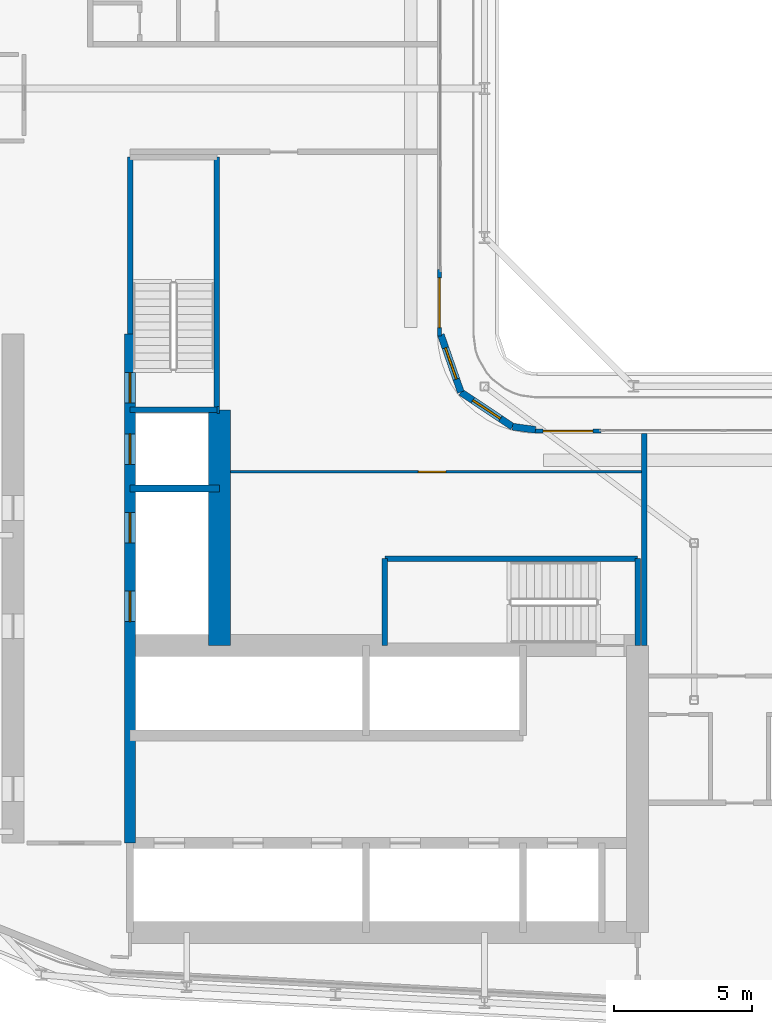
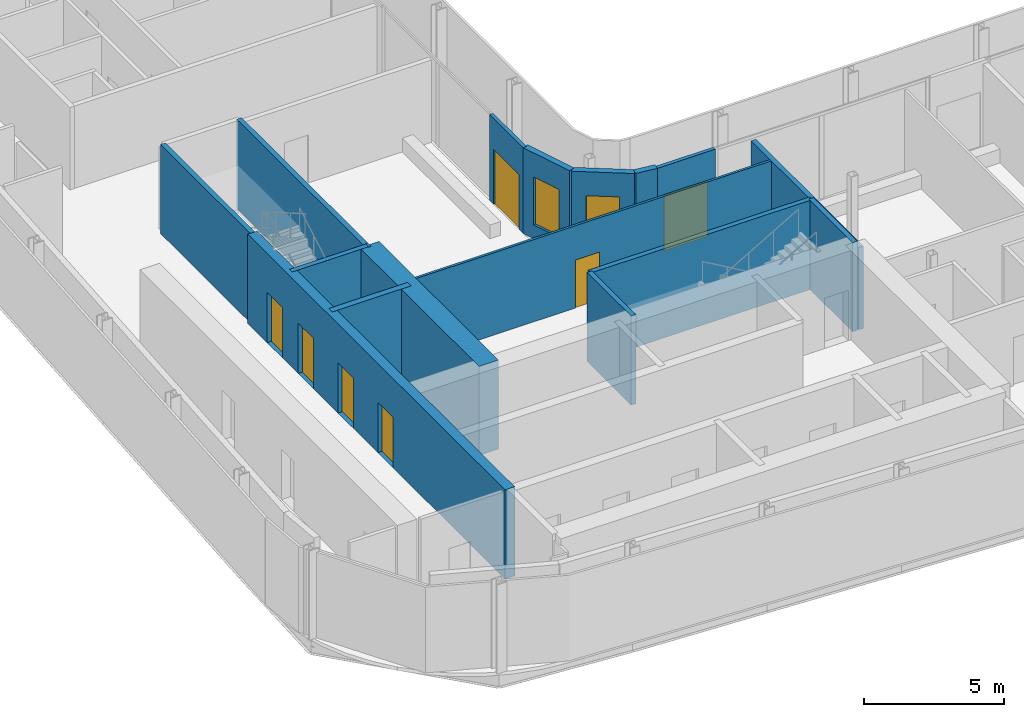
# One storey, part 15 of 29: 17 walls, 7 doors, 2 windows, 9 openings.
"""IFC4 building model written with IfcOpenShell, lengths in metres."""

from ifc_helpers import new_model, si_unit, direction, frame, frame_2d, origin, place, context, subcontext, project, spatial, rectangle, extrude, source, transform, mapped, material, layer, layer_set, type_object, element, fill, save


model = new_model("IFC4")

# Units and contexts
model_context = context("Model", 3, precision=1e-05, world=origin(), true_north=direction((0.0, 1.0)))
body_context = subcontext(model_context, "Body", "Model", "MODEL_VIEW")
ifc_project = project(units=[si_unit("LENGTHUNIT", "METRE"), si_unit("AREAUNIT", "SQUARE_METRE"), si_unit("VOLUMEUNIT", "CUBIC_METRE"), si_unit("PLANEANGLEUNIT", "RADIAN"), si_unit("MASSUNIT", "GRAM", prefix="KILO")], contexts=[model_context])

# Site, building, storey
site_placement = place(None, origin())
site = spatial("IfcSite", under=ifc_project, at=site_placement, CompositionType="ELEMENT")
building_placement = place(site_placement, origin())
building = spatial("IfcBuilding", under=site, at=building_placement, Name="Kheshtan School and Residences Tower", CompositionType="ELEMENT")
storey_placement = place(building_placement, frame((0.0, 0.0, 172.10009765625)))
storey = spatial("IfcBuildingStorey", under=building, at=storey_placement, Name="L40", CompositionType="ELEMENT", Elevation=172.10009765625)

# Wall, openings, doors
ifc_material_1 = material(Name="Concrete C50/60", Category="concrete")
ifc_layer_1 = layer(ifc_material_1, 0.39990234375)
ifc_layer_set_1 = layer_set([ifc_layer_1], Name="Core wall 400 Concrete C50/60")
wall_type_1 = type_object("IfcWallType", Name="Core wall 400 Concrete C50/60", PredefinedType="SHEAR", material=ifc_layer_set_1)
wall_1_placement = place(storey_placement, frame((34.75, 29.050048828125, 0.0), z_axis=(0.0, 0.0, 1.0), x_axis=(0.0, 1.0, 0.0)))
wall_1 = element("IfcWall", 1, at=wall_1_placement, inside=storey, type_object=wall_type_1, Name="Core wall CW-HALL-W1", PredefinedType="SHEAR", context=body_context, shape_type="SweptSolid", body=[
    extrude(rectangle(XDim=18.449951171875, YDim=0.39990234375, at=frame_2d((9.22509765625, 0.0))), origin(), (0.0, 0.0, 1.0), 3.89990234375),
])
opening_1_placement = place(wall_1_placement, frame((8.02490234375, 0.0, 0.0)))
opening_1 = element("IfcOpeningElement", 2, at=opening_1_placement, cuts=wall_1, Name="Opening LD", PredefinedType="OPENING", context=body_context, shape_type="SweptSolid", body=[
    extrude(rectangle(XDim=1.10009765625, YDim=2.199951171875, at=frame_2d((0.550048828125, 1.10009765625))), frame((0.0, 0.2099609375, 0.0), z_axis=(0.0, -1.0, 0.0), x_axis=(1.0, 0.0, 0.0)), (0.0, 0.0, 1.0), 0.419921875),
])
opening_2_placement = place(wall_1_placement, frame((10.875, 0.0, 0.0)))
opening_2 = element("IfcOpeningElement", 3, at=opening_2_placement, cuts=wall_1, Name="Opening LD", PredefinedType="OPENING", context=body_context, shape_type="SweptSolid", body=[
    extrude(rectangle(XDim=1.10009765625, YDim=2.199951171875, at=frame_2d((0.550048828125, 1.10009765625))), frame((0.0, 0.2099609375, 0.0), z_axis=(0.0, -1.0, 0.0), x_axis=(1.0, 0.0, 0.0)), (0.0, 0.0, 1.0), 0.419921875),
])
opening_3_placement = place(wall_1_placement, frame((13.72509765625, 0.0, 0.0)))
opening_3 = element("IfcOpeningElement", 4, at=opening_3_placement, cuts=wall_1, Name="Opening LD", PredefinedType="OPENING", context=body_context, shape_type="SweptSolid", body=[
    extrude(rectangle(XDim=1.10009765625, YDim=2.199951171875, at=frame_2d((0.550048828125, 1.10009765625))), frame((0.0, 0.2099609375, 0.0), z_axis=(0.0, -1.0, 0.0), x_axis=(1.0, 0.0, 0.0)), (0.0, 0.0, 1.0), 0.419921875),
])
opening_4_placement = place(wall_1_placement, frame((15.949951171875, 0.0, 0.0)))
opening_4 = element("IfcOpeningElement", 5, at=opening_4_placement, cuts=wall_1, Name="Opening ST2D", PredefinedType="OPENING", context=body_context, shape_type="SweptSolid", body=[
    extrude(rectangle(XDim=1.10009765625, YDim=2.199951171875, at=frame_2d((0.550048828125, 1.10009765625))), frame((0.0, 0.2099609375, 0.0), z_axis=(0.0, -1.0, 0.0), x_axis=(1.0, 0.0, 0.0)), (0.0, 0.0, 1.0), 0.419921875),
])
ifc_material_2 = material(Name="Stainless steel door leaves", Category="steel")
door_type_1 = type_object("IfcDoorType", Name="Lift landing door 1100", OperationType="SLIDING_TO_LEFT", PredefinedType="DOOR", material=ifc_material_2)
shared_shape_1 = source(origin(), body_context, "Body", "SweptSolid", [
    extrude(rectangle(XDim=1.10009765625, YDim=2.199951171875, at=frame_2d((0.550048828125, 1.10009765625))), frame((0.0, 0.02490234375, 0.0), z_axis=(0.0, -1.0, 0.0), x_axis=(1.0, 0.0, 0.0)), (0.0, 0.0, 1.0), 0.050048828125),
])
door_1_placement = place(opening_1_placement, origin())
door_1 = element("IfcDoor", 6, at=door_1_placement, inside=storey, type_object=door_type_1, Name="Lift SV1 landing door", OperationType="SLIDING_TO_LEFT", OverallHeight=2.199951171875, OverallWidth=1.10009765625, PredefinedType="DOOR", context=body_context, shape_type="MappedRepresentation", body=[
    mapped(shared_shape_1, transform((0.0, 0.0, 0.0), x_axis=(1.0, 0.0, 0.0), y_axis=(0.0, 1.0, 0.0), z_axis=(0.0, 0.0, 1.0), scale=1.0)),
])
fill(opening_1, door_1)
door_2_placement = place(opening_2_placement, origin())
door_2 = element("IfcDoor", 7, at=door_2_placement, inside=storey, type_object=door_type_1, Name="Lift SV2 landing door", OperationType="SLIDING_TO_LEFT", OverallHeight=2.199951171875, OverallWidth=1.10009765625, PredefinedType="DOOR", context=body_context, shape_type="MappedRepresentation", body=[
    mapped(shared_shape_1, transform((0.0, 0.0, 0.0), x_axis=(1.0, 0.0, 0.0), y_axis=(0.0, 1.0, 0.0), z_axis=(0.0, 0.0, 1.0), scale=1.0)),
])
fill(opening_2, door_2)
door_3_placement = place(opening_3_placement, origin())
door_3 = element("IfcDoor", 8, at=door_3_placement, inside=storey, type_object=door_type_1, Name="Lift FFL1 landing door", OperationType="SLIDING_TO_LEFT", OverallHeight=2.199951171875, OverallWidth=1.10009765625, PredefinedType="DOOR", context=body_context, shape_type="MappedRepresentation", body=[
    mapped(shared_shape_1, transform((0.0, 0.0, 0.0), x_axis=(1.0, 0.0, 0.0), y_axis=(0.0, 1.0, 0.0), z_axis=(0.0, 0.0, 1.0), scale=1.0)),
])
fill(opening_3, door_3)
ifc_material_3 = material(Name="Steel door leaf, galvanised", Category="steel")
door_type_2 = type_object("IfcDoorType", Name="Stair door 1100 steel 90 min", OperationType="SINGLE_SWING_LEFT", PredefinedType="DOOR", material=ifc_material_3)
shared_shape_2 = source(origin(), body_context, "Body", "SweptSolid", [
    extrude(rectangle(XDim=1.10009765625, YDim=2.199951171875, at=frame_2d((0.550048828125, 1.10009765625))), frame((0.0, 0.02490234375, 0.0), z_axis=(0.0, -1.0, 0.0), x_axis=(1.0, 0.0, 0.0)), (0.0, 0.0, 1.0), 0.050048828125),
])
door_4_placement = place(opening_4_placement, origin())
door_4 = element("IfcDoor", 9, at=door_4_placement, inside=storey, type_object=door_type_2, Name="Stair ST2 door", OperationType="SINGLE_SWING_RIGHT", OverallHeight=2.199951171875, OverallWidth=1.10009765625, PredefinedType="DOOR", context=body_context, shape_type="MappedRepresentation", body=[
    mapped(shared_shape_2, transform((0.0, 0.0, 0.0), x_axis=(1.0, 0.0, 0.0), y_axis=(0.0, 1.0, 0.0), z_axis=(0.0, 0.0, 1.0), scale=1.0)),
])
fill(opening_4, door_4)

# Wall
ifc_material_4 = material(Name="Concrete C70/85", Category="concrete")
ifc_layer_2 = layer(ifc_material_4, 0.800048828125)
ifc_layer_set_2 = layer_set([ifc_layer_2], Name="Core wall 800 Concrete C70/85")
wall_type_2 = type_object("IfcWallType", Name="Core wall 800 Concrete C70/85", PredefinedType="SHEAR", material=ifc_layer_set_2)
wall_2_placement = place(storey_placement, frame((38.0, 36.199951171875, 0.0), z_axis=(0.0, 0.0, 1.0), x_axis=(0.0, 1.0, 0.0)))
element("IfcWall", 10, at=wall_2_placement, inside=storey, type_object=wall_type_2, Name="Core wall CW-FRONT-W", PredefinedType="SHEAR", context=body_context, shape_type="SweptSolid", body=[
    extrude(rectangle(XDim=8.550048828125, YDim=0.800048828125, at=frame_2d((4.27490234375, 0.0))), origin(), (0.0, 0.0, 1.0), 3.89990234375),
])

# Wall, opening, window
ifc_material_5 = material(Name="Concrete C40/50 with ceramic cladding and mineral wool insulation", Category="concrete")
ifc_layer_3 = layer(ifc_material_5, 0.25)
ifc_layer_set_3 = layer_set([ifc_layer_3], Name="External wall 250 ceramic clad")
wall_type_3 = type_object("IfcWallType", Name="External wall 250 ceramic clad", PredefinedType="SOLIDWALL", material=ifc_layer_set_3)
wall_3_placement = place(storey_placement, frame((46.01806640625, 47.470947265625, 0.0), z_axis=(0.0, 0.0, 1.0), x_axis=(0.328791208903, -0.944402637093, 0.0)))
wall_3 = element("IfcWall", 11, at=wall_3_placement, inside=storey, type_object=wall_type_3, Name="External wall L40 9", PredefinedType="SOLIDWALL", context=body_context, shape_type="SweptSolid", body=[
    extrude(rectangle(XDim=2.20458984375, YDim=0.25, at=frame_2d((1.102294921875, 0.0))), origin(), (0.0, 0.0, 1.0), 3.75),
])
opening_5_placement = place(wall_3_placement, frame((0.5029296875, 0.0, 0.60009765625)))
opening_5 = element("IfcOpeningElement", 12, at=opening_5_placement, cuts=wall_3, Name="Opening WN-E", PredefinedType="OPENING", context=body_context, shape_type="SweptSolid", body=[
    extrude(rectangle(XDim=1.199951171875, YDim=2.10009765625, at=frame_2d((0.60009765625, 1.050048828125))), frame((0.0, 0.135009765625, 0.0), z_axis=(0.0, -1.0, 0.0), x_axis=(1.0, 0.0, 0.0)), (0.0, 0.0, 1.0), 0.27001953125),
])
ifc_material_6 = material(Name="Clear low-e glass in thermally broken aluminium frame", Category="aluminium")
window_type = type_object("IfcWindowType", Name="Window WN-E", PartitioningType="SINGLE_PANEL", PredefinedType="WINDOW", material=ifc_material_6)
shared_shape_3 = source(origin(), body_context, "Body", "SweptSolid", [
    extrude(rectangle(XDim=1.199951171875, YDim=2.10009765625, at=frame_2d((0.60009765625, 1.050048828125))), frame((0.0, 0.030029296875, 0.0), z_axis=(0.0, -1.0, 0.0), x_axis=(1.0, 0.0, 0.0)), (0.0, 0.0, 1.0), 0.06005859375),
])
window_1_placement = place(opening_5_placement, origin())
window_1 = element("IfcWindow", 13, at=window_1_placement, inside=storey, type_object=window_type, Name="Window L40 9", OverallHeight=2.10009765625, OverallWidth=1.199951171875, PartitioningType="SINGLE_PANEL", PredefinedType="WINDOW", context=body_context, shape_type="MappedRepresentation", body=[
    mapped(shared_shape_3, transform((0.0, 0.0, 0.0), x_axis=(1.0, 0.0, 0.0), y_axis=(0.0, 1.0, 0.0), z_axis=(0.0, 0.0, 1.0), scale=1.0)),
])
fill(opening_5, window_1)

wall_4_placement = place(storey_placement, frame((46.742919921875, 45.388916015625, 0.0), z_axis=(0.0, 0.0, 1.0), x_axis=(0.831449265529, -0.555600682912, 0.0)))
wall_4 = element("IfcWall", 14, at=wall_4_placement, inside=storey, type_object=wall_type_3, Name="External wall L40 10", PredefinedType="SOLIDWALL", context=body_context, shape_type="SweptSolid", body=[
    extrude(rectangle(XDim=2.25146484375, YDim=0.25, at=frame_2d((1.125732421875, 0.0))), origin(), (0.0, 0.0, 1.0), 3.75),
])
opening_6_placement = place(wall_4_placement, frame((0.52490234375, 0.0, 0.60009765625)))
opening_6 = element("IfcOpeningElement", 15, at=opening_6_placement, cuts=wall_4, Name="Opening WN-E", PredefinedType="OPENING", context=body_context, shape_type="SweptSolid", body=[
    extrude(rectangle(XDim=1.199951171875, YDim=2.10009765625, at=frame_2d((0.60009765625, 1.050048828125))), frame((0.0, 0.135009765625, 0.0), z_axis=(0.0, -1.0, 0.0), x_axis=(1.0, 0.0, 0.0)), (0.0, 0.0, 1.0), 0.27001953125),
])
window_2_placement = place(opening_6_placement, origin())
window_2 = element("IfcWindow", 16, at=window_2_placement, inside=storey, type_object=window_type, Name="Window L40 10", OverallHeight=2.10009765625, OverallWidth=1.199951171875, PartitioningType="SINGLE_PANEL", PredefinedType="WINDOW", context=body_context, shape_type="MappedRepresentation", body=[
    mapped(shared_shape_3, transform((0.0, 0.0, 0.0), x_axis=(1.0, 0.0, 0.0), y_axis=(0.0, 1.0, 0.0), z_axis=(0.0, 0.0, 1.0), scale=1.0)),
])
fill(opening_6, window_2)

# Wall
wall_5_placement = place(storey_placement, frame((48.614990234375, 44.137939453125, 0.0), z_axis=(0.0, 0.0, 1.0), x_axis=(0.990741504246, -0.135761819977, 0.0)))
element("IfcWall", 17, at=wall_5_placement, inside=storey, type_object=wall_type_3, Name="External wall L40 11", PredefinedType="SOLIDWALL", context=body_context, shape_type="SweptSolid", body=[
    extrude(rectangle(XDim=0.83984375, YDim=0.25, at=frame_2d((0.419921875, 0.0))), origin(), (0.0, 0.0, 1.0), 3.75),
])

# Wall, opening, door
ifc_material_7 = material(Name="Aluminium frame wall with insulated infill", Category="aluminium")
ifc_layer_4 = layer(ifc_material_7, 0.14990234375)
ifc_layer_set_4 = layer_set([ifc_layer_4], Name="Glazing frame wall 150")
wall_type_4 = type_object("IfcWallType", Name="Glazing frame wall 150", PredefinedType="SOLIDWALL", material=ifc_layer_set_4)
wall_6_placement = place(storey_placement, frame((45.97509765625, 49.830078125, 0.0), z_axis=(0.0, 0.0, 1.0), x_axis=(0.0, -1.0, 0.0)))
wall_6 = element("IfcWall", 18, at=wall_6_placement, inside=storey, type_object=wall_type_4, Name="Balcony door wall L40 8.5", PredefinedType="SOLIDWALL", context=body_context, shape_type="SweptSolid", body=[
    extrude(rectangle(XDim=2.400146484375, YDim=0.14990234375, at=frame_2d((1.2001953125, 0.0))), origin(), (0.0, 0.0, 1.0), 3.75),
])
opening_7_placement = place(wall_6_placement, frame((0.300048828125, 0.0, 0.0)))
opening_7 = element("IfcOpeningElement", 19, at=opening_7_placement, cuts=wall_6, Name="Opening BD", PredefinedType="OPENING", context=body_context, shape_type="SweptSolid", body=[
    extrude(rectangle(XDim=1.800048828125, YDim=2.39990234375, at=frame_2d((0.89990234375, 1.199951171875))), frame((0.0, 0.0849609375, 0.0), z_axis=(0.0, -1.0, 0.0), x_axis=(1.0, 0.0, 0.0)), (0.0, 0.0, 1.0), 0.169921875),
])
door_type_3 = type_object("IfcDoorType", Name="Balcony sliding door", OperationType="SLIDING_TO_LEFT", PredefinedType="DOOR", material=ifc_material_6)
shared_shape_4 = source(origin(), body_context, "Body", "SweptSolid", [
    extrude(rectangle(XDim=1.800048828125, YDim=2.39990234375, at=frame_2d((0.89990234375, 1.199951171875))), frame((0.0, 0.02490234375, 0.0), z_axis=(0.0, -1.0, 0.0), x_axis=(1.0, 0.0, 0.0)), (0.0, 0.0, 1.0), 0.050048828125),
])
door_5_placement = place(opening_7_placement, origin())
door_5 = element("IfcDoor", 20, at=door_5_placement, inside=storey, type_object=door_type_3, Name="Balcony door L40 8.5", OperationType="SLIDING_TO_LEFT", OverallHeight=2.39990234375, OverallWidth=1.800048828125, PredefinedType="DOOR", context=body_context, shape_type="MappedRepresentation", body=[
    mapped(shared_shape_4, transform((0.0, 0.0, 0.0), x_axis=(1.0, 0.0, 0.0), y_axis=(0.0, 1.0, 0.0), z_axis=(0.0, 0.0, 1.0), scale=1.0)),
])
fill(opening_7, door_5)

wall_7_placement = place(storey_placement, frame((49.429931640625, 43.97509765625, 0.0), z_axis=(0.0, 0.0, 1.0), x_axis=(1.0, 0.0, 0.0)))
wall_7 = element("IfcWall", 21, at=wall_7_placement, inside=storey, type_object=wall_type_4, Name="Balcony door wall L40 12.1", PredefinedType="SOLIDWALL", context=body_context, shape_type="SweptSolid", body=[
    extrude(rectangle(XDim=2.400146484375, YDim=0.14990234375, at=frame_2d((1.2001953125, 0.0))), origin(), (0.0, 0.0, 1.0), 3.75),
])
opening_8_placement = place(wall_7_placement, frame((0.300048828125, 0.0, 0.0)))
opening_8 = element("IfcOpeningElement", 22, at=opening_8_placement, cuts=wall_7, Name="Opening BD", PredefinedType="OPENING", context=body_context, shape_type="SweptSolid", body=[
    extrude(rectangle(XDim=1.800048828125, YDim=2.39990234375, at=frame_2d((0.89990234375, 1.199951171875))), frame((0.0, 0.0849609375, 0.0), z_axis=(0.0, -1.0, 0.0), x_axis=(1.0, 0.0, 0.0)), (0.0, 0.0, 1.0), 0.169921875),
])
door_6_placement = place(opening_8_placement, origin())
door_6 = element("IfcDoor", 23, at=door_6_placement, inside=storey, type_object=door_type_3, Name="Balcony door L40 12.1", OperationType="SLIDING_TO_LEFT", OverallHeight=2.39990234375, OverallWidth=1.800048828125, PredefinedType="DOOR", context=body_context, shape_type="MappedRepresentation", body=[
    mapped(shared_shape_4, transform((0.0, 0.0, 0.0), x_axis=(1.0, 0.0, 0.0), y_axis=(0.0, 1.0, 0.0), z_axis=(0.0, 0.0, 1.0), scale=1.0)),
])
fill(opening_8, door_6)

ifc_material_8 = material(Name="Gypsum board on steel studs", Category="steel")
ifc_layer_5 = layer(ifc_material_8, 0.10009765625)
ifc_layer_set_5 = layer_set([ifc_layer_5], Name="Gypsum partition 100")
wall_type_5 = type_object("IfcWallType", Name="Gypsum partition 100", PredefinedType="PARTITIONING", material=ifc_layer_set_5)
wall_8_placement = place(storey_placement, frame((38.39892578125, 42.5, 0.0), z_axis=(0.0, 0.0, 1.0), x_axis=(1.0, 0.0, 0.0)))
wall_8 = element("IfcWall", 24, at=wall_8_placement, inside=storey, type_object=wall_type_5, Name="Partition L40-033", PredefinedType="PARTITIONING", context=body_context, shape_type="SweptSolid", body=[
    extrude(rectangle(XDim=14.901123046875, YDim=0.10009765625, at=frame_2d((7.45068359375, 0.0))), origin(), (0.0, 0.0, 1.0), 3.599853515625),
])
opening_9_placement = place(wall_8_placement, frame((6.801025390625, 0.0, 0.0)))
opening_9 = element("IfcOpeningElement", 25, at=opening_9_placement, cuts=wall_8, Name="Opening D39-049", PredefinedType="OPENING", context=body_context, shape_type="SweptSolid", body=[
    extrude(rectangle(XDim=1.0, YDim=2.10009765625, at=frame_2d((0.5, 1.050048828125))), frame((0.0, 0.06005859375, 0.0), z_axis=(0.0, -1.0, 0.0), x_axis=(1.0, 0.0, 0.0)), (0.0, 0.0, 1.0), 0.1201171875),
])
ifc_material_9 = material(Name="Veneered timber door leaf", Category="wood")
door_type_4 = type_object("IfcDoorType", Name="Door 1000 x 2100", OperationType="SINGLE_SWING_LEFT", PredefinedType="DOOR", material=ifc_material_9)
shared_shape_5 = source(origin(), body_context, "Body", "SweptSolid", [
    extrude(rectangle(XDim=1.0, YDim=2.10009765625, at=frame_2d((0.5, 1.050048828125))), frame((0.0, 0.02490234375, 0.0), z_axis=(0.0, -1.0, 0.0), x_axis=(1.0, 0.0, 0.0)), (0.0, 0.0, 1.0), 0.050048828125),
])
door_7_placement = place(opening_9_placement, origin())
door_7 = element("IfcDoor", 26, at=door_7_placement, inside=storey, type_object=door_type_4, Name="Door D39-049", OperationType="SINGLE_SWING_LEFT", OverallHeight=2.10009765625, OverallWidth=1.0, PredefinedType="DOOR", context=body_context, shape_type="MappedRepresentation", body=[
    mapped(shared_shape_5, transform((0.0, 0.0, 0.0), x_axis=(1.0, 0.0, 0.0), y_axis=(0.0, 1.0, 0.0), z_axis=(0.0, 0.0, 1.0), scale=1.0)),
])
fill(opening_9, door_7)

# Walls
ifc_material_10 = material(Name="Fire-board shaft wall system")
ifc_layer_6 = layer(ifc_material_10, 0.25)
ifc_layer_set_6 = layer_set([ifc_layer_6], Name="Shaft lining wall 250")
wall_type_6 = type_object("IfcWallType", Name="Shaft lining wall 250", PredefinedType="PARTITIONING", material=ifc_layer_set_6)
wall_9_placement = place(storey_placement, frame((34.75, 41.89990234375, 0.0), z_axis=(0.0, 0.0, 1.0), x_axis=(1.0, 0.0, 0.0)))
element("IfcWall", 27, at=wall_9_placement, inside=storey, type_object=wall_type_6, Name="Shaft lining wall", PredefinedType="PARTITIONING", context=body_context, shape_type="SweptSolid", body=[
    extrude(rectangle(XDim=3.25, YDim=0.25, at=frame_2d((1.625, 0.0))), origin(), (0.0, 0.0, 1.0), 3.89990234375),
])
wall_10_placement = place(storey_placement, frame((37.89990234375, 44.75, 0.0), z_axis=(0.0, 0.0, 1.0), x_axis=(1.0, 0.0, 0.0)))
element("IfcWall", 28, at=wall_10_placement, inside=storey, type_object=wall_type_6, Name="Shaft lining wall", PredefinedType="PARTITIONING", context=body_context, shape_type="SweptSolid", body=[
    extrude(rectangle(XDim=0.10009765625, YDim=0.25, at=frame_2d((0.050048828125, 0.0))), origin(), (0.0, 0.0, 1.0), 3.89990234375),
])
ifc_material_11 = material(Name="Concrete C40/50", Category="concrete")
ifc_layer_7 = layer(ifc_material_11, 0.199951171875)
ifc_layer_set_7 = layer_set([ifc_layer_7], Name="Stair enclosure wall 200 Concrete C40/50")
wall_type_7 = type_object("IfcWallType", Name="Stair enclosure wall 200 Concrete C40/50", PredefinedType="SHEAR", material=ifc_layer_set_7)
wall_11_placement = place(storey_placement, frame((43.989990234375, 39.35009765625, 0.0), z_axis=(0.0, 0.0, 1.0), x_axis=(1.0, 0.0, 0.0)))
element("IfcWall", 29, at=wall_11_placement, inside=storey, type_object=wall_type_7, Name="Stair enclosure wall ST1", PredefinedType="SHEAR", context=body_context, shape_type="SweptSolid", body=[
    extrude(rectangle(XDim=9.159912109375, YDim=0.199951171875, at=frame_2d((4.580078125, 0.0))), origin(), (0.0, 0.0, 1.0), 3.89990234375),
])
for number, where, z_axis, x_axis, name in (
    (30, (43.989990234375, 36.199951171875, 0.0), (0.0, 0.0, 1.0), (0.0, 1.0, 0.0), "Stair enclosure wall ST1"),
    (31, (53.14990234375, 36.199951171875, 0.0), (0.0, 0.0, 1.0), (0.0, 1.0, 0.0), "Stair enclosure wall ST1"),
):
    element("IfcWall", number, at=place(storey_placement, frame(where, z_axis=z_axis, x_axis=x_axis)), inside=storey, type_object=wall_type_7, Name=name, PredefinedType="SHEAR", context=body_context, shape_type="SweptSolid", body=[
        extrude(rectangle(XDim=3.150146484375, YDim=0.199951171875, at=frame_2d((1.5751953125, 0.0))), origin(), (0.0, 0.0, 1.0), 3.89990234375),
    ])
wall_12_placement = place(storey_placement, frame((34.75, 44.75, 0.0), z_axis=(0.0, 0.0, 1.0), x_axis=(1.0, 0.0, 0.0)))
element("IfcWall", 32, at=wall_12_placement, inside=storey, type_object=wall_type_7, Name="Stair enclosure wall ST2", PredefinedType="SHEAR", context=body_context, shape_type="SweptSolid", body=[
    extrude(rectangle(XDim=3.14990234375, YDim=0.199951171875, at=frame_2d((1.574951171875, 0.0))), origin(), (0.0, 0.0, 1.0), 3.89990234375),
])
wall_13_placement = place(storey_placement, frame((34.75, 47.5, 0.0), z_axis=(0.0, 0.0, 1.0), x_axis=(0.0, 1.0, 0.0)))
element("IfcWall", 33, at=wall_13_placement, inside=storey, type_object=wall_type_7, Name="Stair enclosure wall ST2", PredefinedType="SHEAR", context=body_context, shape_type="SweptSolid", body=[
    extrude(rectangle(XDim=6.409912109375, YDim=0.199951171875, at=frame_2d((3.205078125, 0.0))), origin(), (0.0, 0.0, 1.0), 3.89990234375),
])
wall_14_placement = place(storey_placement, frame((37.89990234375, 44.75, 0.0), z_axis=(0.0, 0.0, 1.0), x_axis=(0.0, 1.0, 0.0)))
element("IfcWall", 34, at=wall_14_placement, inside=storey, type_object=wall_type_7, Name="Stair enclosure wall ST2", PredefinedType="SHEAR", context=body_context, shape_type="SweptSolid", body=[
    extrude(rectangle(XDim=9.159912109375, YDim=0.199951171875, at=frame_2d((4.580078125, 0.0))), origin(), (0.0, 0.0, 1.0), 3.89990234375),
])
ifc_material_12 = material(Name="Twin gypsum board on steel studs with mineral wool", Category="steel")
ifc_layer_8 = layer(ifc_material_12, 0.199951171875)
ifc_layer_set_8 = layer_set([ifc_layer_8], Name="Unit demising wall 200")
wall_type_8 = type_object("IfcWallType", Name="Unit demising wall 200", PredefinedType="PARTITIONING", material=ifc_layer_set_8)
wall_15_placement = place(storey_placement, frame((53.39990234375, 36.198974609375, 0.0), z_axis=(0.0, 0.0, 1.0), x_axis=(0.0, 1.0, 0.0)))
element("IfcWall", 35, at=wall_15_placement, inside=storey, type_object=wall_type_8, Name="Partition L40-036", PredefinedType="PARTITIONING", context=body_context, shape_type="SweptSolid", body=[
    extrude(rectangle(XDim=7.700927734375, YDim=0.199951171875, at=frame_2d((3.8505859375, 0.0))), origin(), (0.0, 0.0, 1.0), 3.599853515625),
])

save(model, "model.ifc")
